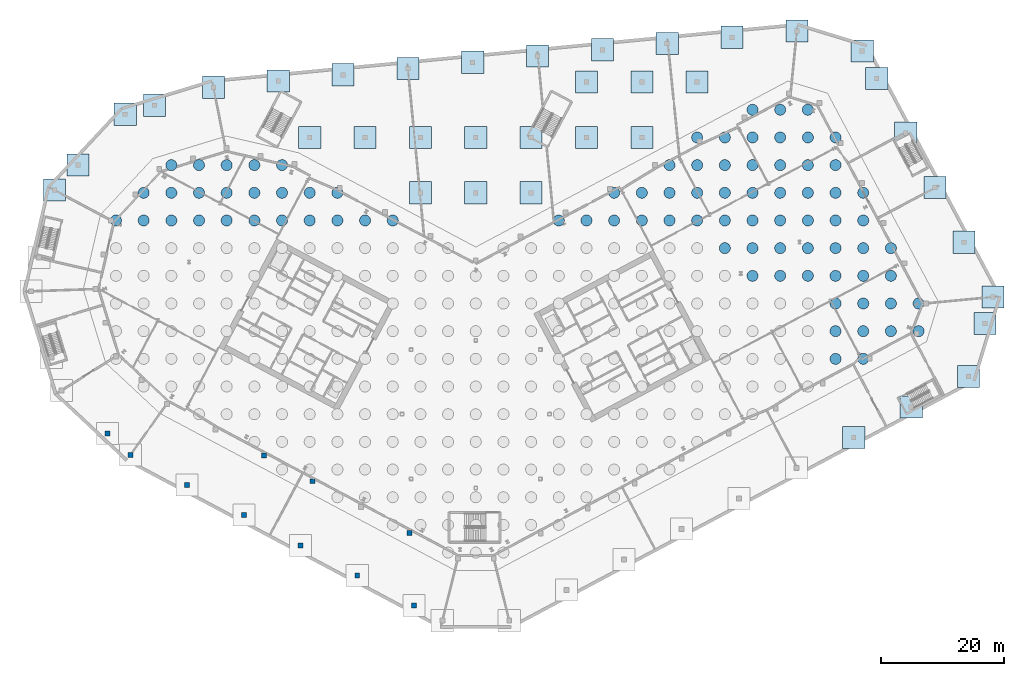
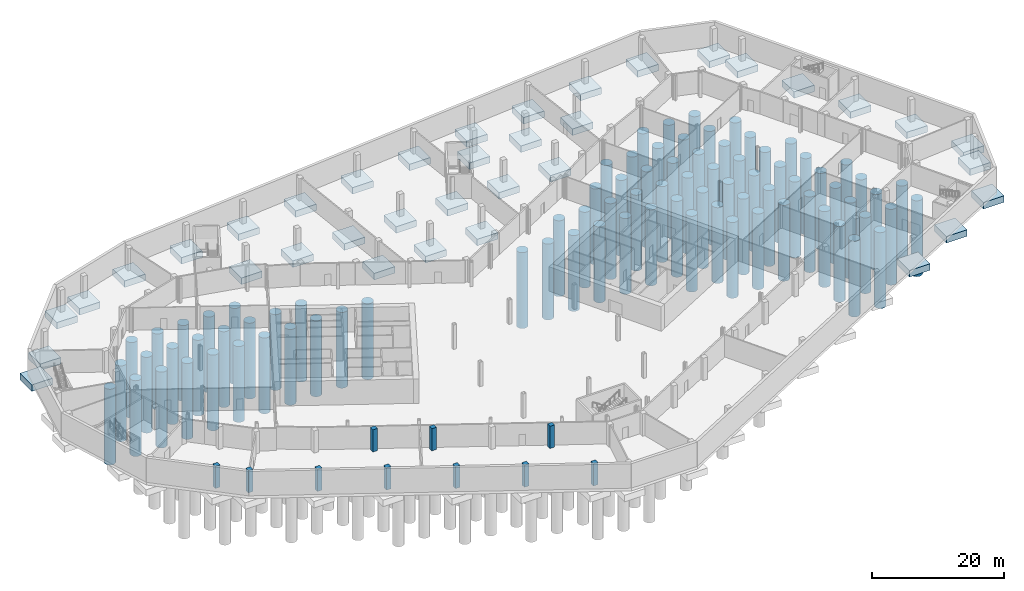
# One storey, part 2 of 29: 85 piles, 37 footings, 10 columns.
"""IFC4 building model written with IfcOpenShell, lengths in metres."""

from ifc_helpers import new_model, si_unit, direction, frame, origin, origin_2d, place, context, subcontext, project, spatial, polyline, rectangle, circle, outline, extrude, material, layer, layer_set, material_profile, profile_set, type_object, element, save


model = new_model("IFC4")

# Units and contexts
model_context = context("Model", 3, precision=1e-05, world=origin(), true_north=direction((0.0, 1.0)))
body_context = subcontext(model_context, "Body", "Model", "MODEL_VIEW")
ifc_project = project(units=[si_unit("LENGTHUNIT", "METRE"), si_unit("AREAUNIT", "SQUARE_METRE"), si_unit("VOLUMEUNIT", "CUBIC_METRE"), si_unit("PLANEANGLEUNIT", "RADIAN"), si_unit("MASSUNIT", "GRAM", prefix="KILO")], contexts=[model_context])

# Site, building, storey
site_placement = place(None, origin())
site = spatial("IfcSite", under=ifc_project, at=site_placement, CompositionType="ELEMENT")
building_placement = place(site_placement, origin())
building = spatial("IfcBuilding", under=site, at=building_placement, Name="Cormorant Relay Tower", CompositionType="ELEMENT")
storey_placement = place(building_placement, frame((0.0, 0.0, -9.0)))
storey = spatial("IfcBuildingStorey", under=building, at=storey_placement, Name="B2", CompositionType="ELEMENT", Elevation=-9.0)

# Footings
ifc_material_1 = material(Name="Concrete 40 MPa", Category="concrete")
ifc_layer = layer(ifc_material_1, 1.199951171875)
ifc_layer_set = layer_set([ifc_layer], Name="Base pad footing 3600")
footing_type = type_object("IfcFootingType", Name="Base pad footing 3600", PredefinedType="PAD_FOOTING", material=ifc_layer_set)
footing_1_placement = place(storey_placement, frame((0.0, 0.0, -1.699951171875)))
element("IfcFooting", 1, at=footing_1_placement, inside=storey, type_object=footing_type, Name="Base pad footing", PredefinedType="PAD_FOOTING", context=body_context, shape_type="SweptSolid", body=[
    extrude(outline(polyline([(59.6630859375, -5.587890625), (63.262939453125, -5.587890625), (63.262939453125, -1.988037109375), (59.6630859375, -1.988037109375), (59.6630859375, -5.587890625)])), origin(), (0.0, 0.0, 1.0), 1.199951171875),
])
footing_2_placement = place(storey_placement, frame((0.0, 0.0, -1.699951171875)))
element("IfcFooting", 2, at=footing_2_placement, inside=storey, type_object=footing_type, Name="Base pad footing", PredefinedType="PAD_FOOTING", context=body_context, shape_type="SweptSolid", body=[
    extrude(outline(polyline([(69.0, -0.6240234375), (72.60009765625, -0.6240234375), (72.60009765625, 2.97607421875), (69.0, 2.97607421875), (69.0, -0.6240234375)])), origin(), (0.0, 0.0, 1.0), 1.199951171875),
])
footing_3_placement = place(storey_placement, frame((0.0, 0.0, -1.699951171875)))
element("IfcFooting", 3, at=footing_3_placement, inside=storey, type_object=footing_type, Name="Base pad footing", PredefinedType="PAD_FOOTING", context=body_context, shape_type="SweptSolid", body=[
    extrude(outline(polyline([(78.3369140625, 4.341064453125), (81.93701171875, 4.341064453125), (81.93701171875, 7.94091796875), (78.3369140625, 7.94091796875), (78.3369140625, 4.341064453125)])), origin(), (0.0, 0.0, 1.0), 1.199951171875),
])
footing_4_placement = place(storey_placement, frame((0.0, 0.0, -1.699951171875)))
element("IfcFooting", 4, at=footing_4_placement, inside=storey, type_object=footing_type, Name="Base pad footing", PredefinedType="PAD_FOOTING", context=body_context, shape_type="SweptSolid", body=[
    extrude(outline(polyline([(80.971923828125, 12.9609375), (84.572021484375, 12.9609375), (84.572021484375, 16.56103515625), (80.971923828125, 16.56103515625), (80.971923828125, 12.9609375)])), origin(), (0.0, 0.0, 1.0), 1.199951171875),
])
footing_5_placement = place(storey_placement, frame((0.0, 0.0, -1.699951171875)))
element("IfcFooting", 5, at=footing_5_placement, inside=storey, type_object=footing_type, Name="Base pad footing", PredefinedType="PAD_FOOTING", context=body_context, shape_type="SweptSolid", body=[
    extrude(outline(polyline([(82.2900390625, 17.27099609375), (85.889892578125, 17.27099609375), (85.889892578125, 20.87109375), (82.2900390625, 20.87109375), (82.2900390625, 17.27099609375)])), origin(), (0.0, 0.0, 1.0), 1.199951171875),
])
footing_6_placement = place(storey_placement, frame((0.0, 0.0, -1.699951171875)))
element("IfcFooting", 6, at=footing_6_placement, inside=storey, type_object=footing_type, Name="Base pad footing", PredefinedType="PAD_FOOTING", context=body_context, shape_type="SweptSolid", body=[
    extrude(outline(polyline([(77.56591796875, 26.155029296875), (81.166015625, 26.155029296875), (81.166015625, 29.7548828125), (77.56591796875, 29.7548828125), (77.56591796875, 26.155029296875)])), origin(), (0.0, 0.0, 1.0), 1.199951171875),
])
footing_7_placement = place(storey_placement, frame((0.0, 0.0, -1.699951171875)))
element("IfcFooting", 7, at=footing_7_placement, inside=storey, type_object=footing_type, Name="Base pad footing", PredefinedType="PAD_FOOTING", context=body_context, shape_type="SweptSolid", body=[
    extrude(outline(polyline([(-10.800048828125, 34.199951171875), (-7.199951171875, 34.199951171875), (-7.199951171875, 37.800048828125), (-10.800048828125, 37.800048828125), (-10.800048828125, 34.199951171875)])), origin(), (0.0, 0.0, 1.0), 1.199951171875),
])
footing_8_placement = place(storey_placement, frame((0.0, 0.0, -1.699951171875)))
element("IfcFooting", 8, at=footing_8_placement, inside=storey, type_object=footing_type, Name="Base pad footing", PredefinedType="PAD_FOOTING", context=body_context, shape_type="SweptSolid", body=[
    extrude(outline(polyline([(-1.800048828125, 34.199951171875), (1.800048828125, 34.199951171875), (1.800048828125, 37.800048828125), (-1.800048828125, 37.800048828125), (-1.800048828125, 34.199951171875)])), origin(), (0.0, 0.0, 1.0), 1.199951171875),
])
footing_9_placement = place(storey_placement, frame((0.0, 0.0, -1.699951171875)))
element("IfcFooting", 9, at=footing_9_placement, inside=storey, type_object=footing_type, Name="Base pad footing", PredefinedType="PAD_FOOTING", context=body_context, shape_type="SweptSolid", body=[
    extrude(outline(polyline([(7.199951171875, 34.199951171875), (10.800048828125, 34.199951171875), (10.800048828125, 37.800048828125), (7.199951171875, 37.800048828125), (7.199951171875, 34.199951171875)])), origin(), (0.0, 0.0, 1.0), 1.199951171875),
])
footing_10_placement = place(storey_placement, frame((0.0, 0.0, -1.699951171875)))
element("IfcFooting", 10, at=footing_10_placement, inside=storey, type_object=footing_type, Name="Base pad footing", PredefinedType="PAD_FOOTING", context=body_context, shape_type="SweptSolid", body=[
    extrude(outline(polyline([(-70.31201171875, 34.62890625), (-66.7119140625, 34.62890625), (-66.7119140625, 38.22900390625), (-70.31201171875, 38.22900390625), (-70.31201171875, 34.62890625)])), origin(), (0.0, 0.0, 1.0), 1.199951171875),
])
footing_11_placement = place(storey_placement, frame((0.0, 0.0, -1.699951171875)))
element("IfcFooting", 11, at=footing_11_placement, inside=storey, type_object=footing_type, Name="Base pad footing", PredefinedType="PAD_FOOTING", context=body_context, shape_type="SweptSolid", body=[
    extrude(outline(polyline([(72.842041015625, 35.0390625), (76.44189453125, 35.0390625), (76.44189453125, 38.638916015625), (72.842041015625, 38.638916015625), (72.842041015625, 35.0390625)])), origin(), (0.0, 0.0, 1.0), 1.199951171875),
])
footing_12_placement = place(storey_placement, frame((0.0, 0.0, -1.699951171875)))
element("IfcFooting", 12, at=footing_12_placement, inside=storey, type_object=footing_type, Name="Base pad footing", PredefinedType="PAD_FOOTING", context=body_context, shape_type="SweptSolid", body=[
    extrude(outline(polyline([(-66.47705078125, 38.741943359375), (-62.876953125, 38.741943359375), (-62.876953125, 42.342041015625), (-66.47705078125, 42.342041015625), (-66.47705078125, 38.741943359375)])), origin(), (0.0, 0.0, 1.0), 1.199951171875),
])
footing_13_placement = place(storey_placement, frame((0.0, 0.0, -1.699951171875)))
element("IfcFooting", 13, at=footing_13_placement, inside=storey, type_object=footing_type, Name="Base pad footing", PredefinedType="PAD_FOOTING", context=body_context, shape_type="SweptSolid", body=[
    extrude(outline(polyline([(-28.800048828125, 43.199951171875), (-25.199951171875, 43.199951171875), (-25.199951171875, 46.800048828125), (-28.800048828125, 46.800048828125), (-28.800048828125, 43.199951171875)])), origin(), (0.0, 0.0, 1.0), 1.199951171875),
])
footing_14_placement = place(storey_placement, frame((0.0, 0.0, -1.699951171875)))
element("IfcFooting", 14, at=footing_14_placement, inside=storey, type_object=footing_type, Name="Base pad footing", PredefinedType="PAD_FOOTING", context=body_context, shape_type="SweptSolid", body=[
    extrude(outline(polyline([(-19.800048828125, 43.199951171875), (-16.199951171875, 43.199951171875), (-16.199951171875, 46.800048828125), (-19.800048828125, 46.800048828125), (-19.800048828125, 43.199951171875)])), origin(), (0.0, 0.0, 1.0), 1.199951171875),
])
footing_15_placement = place(storey_placement, frame((0.0, 0.0, -1.699951171875)))
element("IfcFooting", 15, at=footing_15_placement, inside=storey, type_object=footing_type, Name="Base pad footing", PredefinedType="PAD_FOOTING", context=body_context, shape_type="SweptSolid", body=[
    extrude(outline(polyline([(-10.800048828125, 43.199951171875), (-7.199951171875, 43.199951171875), (-7.199951171875, 46.800048828125), (-10.800048828125, 46.800048828125), (-10.800048828125, 43.199951171875)])), origin(), (0.0, 0.0, 1.0), 1.199951171875),
])
footing_16_placement = place(storey_placement, frame((0.0, 0.0, -1.699951171875)))
element("IfcFooting", 16, at=footing_16_placement, inside=storey, type_object=footing_type, Name="Base pad footing", PredefinedType="PAD_FOOTING", context=body_context, shape_type="SweptSolid", body=[
    extrude(outline(polyline([(-1.800048828125, 43.199951171875), (1.800048828125, 43.199951171875), (1.800048828125, 46.800048828125), (-1.800048828125, 46.800048828125), (-1.800048828125, 43.199951171875)])), origin(), (0.0, 0.0, 1.0), 1.199951171875),
])
footing_17_placement = place(storey_placement, frame((0.0, 0.0, -1.699951171875)))
element("IfcFooting", 17, at=footing_17_placement, inside=storey, type_object=footing_type, Name="Base pad footing", PredefinedType="PAD_FOOTING", context=body_context, shape_type="SweptSolid", body=[
    extrude(outline(polyline([(7.199951171875, 43.199951171875), (10.800048828125, 43.199951171875), (10.800048828125, 46.800048828125), (7.199951171875, 46.800048828125), (7.199951171875, 43.199951171875)])), origin(), (0.0, 0.0, 1.0), 1.199951171875),
])
footing_18_placement = place(storey_placement, frame((0.0, 0.0, -1.699951171875)))
element("IfcFooting", 18, at=footing_18_placement, inside=storey, type_object=footing_type, Name="Base pad footing", PredefinedType="PAD_FOOTING", context=body_context, shape_type="SweptSolid", body=[
    extrude(outline(polyline([(16.199951171875, 43.199951171875), (19.800048828125, 43.199951171875), (19.800048828125, 46.800048828125), (16.199951171875, 46.800048828125), (16.199951171875, 43.199951171875)])), origin(), (0.0, 0.0, 1.0), 1.199951171875),
])
footing_19_placement = place(storey_placement, frame((0.0, 0.0, -1.699951171875)))
element("IfcFooting", 19, at=footing_19_placement, inside=storey, type_object=footing_type, Name="Base pad footing", PredefinedType="PAD_FOOTING", context=body_context, shape_type="SweptSolid", body=[
    extrude(outline(polyline([(25.199951171875, 43.199951171875), (28.800048828125, 43.199951171875), (28.800048828125, 46.800048828125), (25.199951171875, 46.800048828125), (25.199951171875, 43.199951171875)])), origin(), (0.0, 0.0, 1.0), 1.199951171875),
])
footing_20_placement = place(storey_placement, frame((0.0, 0.0, -1.699951171875)))
element("IfcFooting", 20, at=footing_20_placement, inside=storey, type_object=footing_type, Name="Base pad footing", PredefinedType="PAD_FOOTING", context=body_context, shape_type="SweptSolid", body=[
    extrude(outline(polyline([(68.117919921875, 43.923095703125), (71.718017578125, 43.923095703125), (71.718017578125, 47.52294921875), (68.117919921875, 47.52294921875), (68.117919921875, 43.923095703125)])), origin(), (0.0, 0.0, 1.0), 1.199951171875),
])
footing_21_placement = place(storey_placement, frame((0.0, 0.0, -1.699951171875)))
element("IfcFooting", 21, at=footing_21_placement, inside=storey, type_object=footing_type, Name="Base pad footing", PredefinedType="PAD_FOOTING", context=body_context, shape_type="SweptSolid", body=[
    extrude(outline(polyline([(-58.804931640625, 46.968017578125), (-55.205078125, 46.968017578125), (-55.205078125, 50.568115234375), (-58.804931640625, 50.568115234375), (-58.804931640625, 46.968017578125)])), origin(), (0.0, 0.0, 1.0), 1.199951171875),
])
footing_22_placement = place(storey_placement, frame((0.0, 0.0, -1.699951171875)))
element("IfcFooting", 22, at=footing_22_placement, inside=storey, type_object=footing_type, Name="Base pad footing", PredefinedType="PAD_FOOTING", context=body_context, shape_type="SweptSolid", body=[
    extrude(outline(polyline([(-54.02392578125, 48.429931640625), (-50.424072265625, 48.429931640625), (-50.424072265625, 52.030029296875), (-54.02392578125, 52.030029296875), (-54.02392578125, 48.429931640625)])), origin(), (0.0, 0.0, 1.0), 1.199951171875),
])
footing_23_placement = place(storey_placement, frame((0.0, 0.0, -1.699951171875)))
element("IfcFooting", 23, at=footing_23_placement, inside=storey, type_object=footing_type, Name="Base pad footing", PredefinedType="PAD_FOOTING", context=body_context, shape_type="SweptSolid", body=[
    extrude(outline(polyline([(-44.4619140625, 51.35400390625), (-40.862060546875, 51.35400390625), (-40.862060546875, 54.9541015625), (-44.4619140625, 54.9541015625), (-44.4619140625, 51.35400390625)])), origin(), (0.0, 0.0, 1.0), 1.199951171875),
])
footing_24_placement = place(storey_placement, frame((0.0, 0.0, -1.699951171875)))
element("IfcFooting", 24, at=footing_24_placement, inside=storey, type_object=footing_type, Name="Base pad footing", PredefinedType="PAD_FOOTING", context=body_context, shape_type="SweptSolid", body=[
    extrude(outline(polyline([(16.199951171875, 52.199951171875), (19.800048828125, 52.199951171875), (19.800048828125, 55.800048828125), (16.199951171875, 55.800048828125), (16.199951171875, 52.199951171875)])), origin(), (0.0, 0.0, 1.0), 1.199951171875),
])
footing_25_placement = place(storey_placement, frame((0.0, 0.0, -1.699951171875)))
element("IfcFooting", 25, at=footing_25_placement, inside=storey, type_object=footing_type, Name="Base pad footing", PredefinedType="PAD_FOOTING", context=body_context, shape_type="SweptSolid", body=[
    extrude(outline(polyline([(25.199951171875, 52.199951171875), (28.800048828125, 52.199951171875), (28.800048828125, 55.800048828125), (25.199951171875, 55.800048828125), (25.199951171875, 52.199951171875)])), origin(), (0.0, 0.0, 1.0), 1.199951171875),
])
footing_26_placement = place(storey_placement, frame((0.0, 0.0, -1.699951171875)))
element("IfcFooting", 26, at=footing_26_placement, inside=storey, type_object=footing_type, Name="Base pad footing", PredefinedType="PAD_FOOTING", context=body_context, shape_type="SweptSolid", body=[
    extrude(outline(polyline([(34.199951171875, 52.199951171875), (37.800048828125, 52.199951171875), (37.800048828125, 55.800048828125), (34.199951171875, 55.800048828125), (34.199951171875, 52.199951171875)])), origin(), (0.0, 0.0, 1.0), 1.199951171875),
])
footing_27_placement = place(storey_placement, frame((0.0, 0.0, -1.699951171875)))
element("IfcFooting", 27, at=footing_27_placement, inside=storey, type_object=footing_type, Name="Base pad footing", PredefinedType="PAD_FOOTING", context=body_context, shape_type="SweptSolid", body=[
    extrude(outline(polyline([(-33.9208984375, 52.3701171875), (-30.321044921875, 52.3701171875), (-30.321044921875, 55.969970703125), (-33.9208984375, 55.969970703125), (-33.9208984375, 52.3701171875)])), origin(), (0.0, 0.0, 1.0), 1.199951171875),
])
footing_28_placement = place(storey_placement, frame((0.0, 0.0, -1.699951171875)))
element("IfcFooting", 28, at=footing_28_placement, inside=storey, type_object=footing_type, Name="Base pad footing", PredefinedType="PAD_FOOTING", context=body_context, shape_type="SweptSolid", body=[
    extrude(outline(polyline([(63.39501953125, 52.806884765625), (66.9951171875, 52.806884765625), (66.9951171875, 56.406982421875), (63.39501953125, 56.406982421875), (63.39501953125, 52.806884765625)])), origin(), (0.0, 0.0, 1.0), 1.199951171875),
])
footing_29_placement = place(storey_placement, frame((0.0, 0.0, -1.699951171875)))
element("IfcFooting", 29, at=footing_29_placement, inside=storey, type_object=footing_type, Name="Base pad footing", PredefinedType="PAD_FOOTING", context=body_context, shape_type="SweptSolid", body=[
    extrude(outline(polyline([(-23.3798828125, 53.385986328125), (-19.780029296875, 53.385986328125), (-19.780029296875, 56.986083984375), (-23.3798828125, 56.986083984375), (-23.3798828125, 53.385986328125)])), origin(), (0.0, 0.0, 1.0), 1.199951171875),
])
footing_30_placement = place(storey_placement, frame((0.0, 0.0, -1.699951171875)))
element("IfcFooting", 30, at=footing_30_placement, inside=storey, type_object=footing_type, Name="Base pad footing", PredefinedType="PAD_FOOTING", context=body_context, shape_type="SweptSolid", body=[
    extrude(outline(polyline([(-12.839111328125, 54.402099609375), (-9.239013671875, 54.402099609375), (-9.239013671875, 58.001953125), (-12.839111328125, 58.001953125), (-12.839111328125, 54.402099609375)])), origin(), (0.0, 0.0, 1.0), 1.199951171875),
])
footing_31_placement = place(storey_placement, frame((0.0, 0.0, -1.699951171875)))
element("IfcFooting", 31, at=footing_31_placement, inside=storey, type_object=footing_type, Name="Base pad footing", PredefinedType="PAD_FOOTING", context=body_context, shape_type="SweptSolid", body=[
    extrude(outline(polyline([(-2.298095703125, 55.41796875), (1.302001953125, 55.41796875), (1.302001953125, 59.01806640625), (-2.298095703125, 59.01806640625), (-2.298095703125, 55.41796875)])), origin(), (0.0, 0.0, 1.0), 1.199951171875),
])
footing_32_placement = place(storey_placement, frame((0.0, 0.0, -1.699951171875)))
element("IfcFooting", 32, at=footing_32_placement, inside=storey, type_object=footing_type, Name="Base pad footing", PredefinedType="PAD_FOOTING", context=body_context, shape_type="SweptSolid", body=[
    extrude(outline(polyline([(8.243896484375, 56.43408203125), (11.843994140625, 56.43408203125), (11.843994140625, 60.033935546875), (8.243896484375, 60.033935546875), (8.243896484375, 56.43408203125)])), origin(), (0.0, 0.0, 1.0), 1.199951171875),
])
footing_33_placement = place(storey_placement, frame((0.0, 0.0, -1.699951171875)))
element("IfcFooting", 33, at=footing_33_placement, inside=storey, type_object=footing_type, Name="Base pad footing", PredefinedType="PAD_FOOTING", context=body_context, shape_type="SweptSolid", body=[
    extrude(outline(polyline([(61.032958984375, 57.2490234375), (64.633056640625, 57.2490234375), (64.633056640625, 60.84912109375), (61.032958984375, 60.84912109375), (61.032958984375, 57.2490234375)])), origin(), (0.0, 0.0, 1.0), 1.199951171875),
])
footing_34_placement = place(storey_placement, frame((0.0, 0.0, -1.699951171875)))
element("IfcFooting", 34, at=footing_34_placement, inside=storey, type_object=footing_type, Name="Base pad footing", PredefinedType="PAD_FOOTING", context=body_context, shape_type="SweptSolid", body=[
    extrude(outline(polyline([(18.784912109375, 57.449951171875), (22.385009765625, 57.449951171875), (22.385009765625, 61.050048828125), (18.784912109375, 61.050048828125), (18.784912109375, 57.449951171875)])), origin(), (0.0, 0.0, 1.0), 1.199951171875),
])
footing_35_placement = place(storey_placement, frame((0.0, 0.0, -1.699951171875)))
element("IfcFooting", 35, at=footing_35_placement, inside=storey, type_object=footing_type, Name="Base pad footing", PredefinedType="PAD_FOOTING", context=body_context, shape_type="SweptSolid", body=[
    extrude(outline(polyline([(29.325927734375, 58.466064453125), (32.926025390625, 58.466064453125), (32.926025390625, 62.06591796875), (29.325927734375, 62.06591796875), (29.325927734375, 58.466064453125)])), origin(), (0.0, 0.0, 1.0), 1.199951171875),
])
footing_36_placement = place(storey_placement, frame((0.0, 0.0, -1.699951171875)))
element("IfcFooting", 36, at=footing_36_placement, inside=storey, type_object=footing_type, Name="Base pad footing", PredefinedType="PAD_FOOTING", context=body_context, shape_type="SweptSolid", body=[
    extrude(outline(polyline([(39.866943359375, 59.48193359375), (43.467041015625, 59.48193359375), (43.467041015625, 63.08203125), (39.866943359375, 63.08203125), (39.866943359375, 59.48193359375)])), origin(), (0.0, 0.0, 1.0), 1.199951171875),
])
footing_37_placement = place(storey_placement, frame((0.0, 0.0, -1.699951171875)))
element("IfcFooting", 37, at=footing_37_placement, inside=storey, type_object=footing_type, Name="Base pad footing", PredefinedType="PAD_FOOTING", context=body_context, shape_type="SweptSolid", body=[
    extrude(outline(polyline([(50.407958984375, 60.498046875), (54.008056640625, 60.498046875), (54.008056640625, 64.097900390625), (50.407958984375, 64.097900390625), (50.407958984375, 60.498046875)])), origin(), (0.0, 0.0, 1.0), 1.199951171875),
])

# Piles
ifc_material_2 = material(Name="Concrete 40 MPa", Category="concrete")
ifc_material_profile_1 = material_profile(ifc_material_2, circle(Radius=0.89990234375, at=origin_2d()), Name="BP1800")
ifc_profile_set_1 = profile_set([ifc_material_profile_1], Name="Concrete 40 MPa")
pile_type = type_object("IfcPileType", Name="Bored pile D1800", PredefinedType="BORED", material=ifc_profile_set_1)
for number, where, z_axis, x_axis, name in (
    (38, (58.5, 9.0, -2.89990234375), (0.0, 0.0, -1.0), (1.0, 0.0, 0.0), "Pile 126"),
    (39, (63.0, 9.0, -2.89990234375), (0.0, 0.0, -1.0), (1.0, 0.0, 0.0), "Pile 127"),
    (40, (58.5, 13.5, -2.89990234375), (0.0, 0.0, -1.0), (1.0, 0.0, 0.0), "Pile 154"),
    (41, (63.0, 13.5, -2.89990234375), (0.0, 0.0, -1.0), (1.0, 0.0, 0.0), "Pile 155"),
    (42, (67.5, 13.5, -2.89990234375), (0.0, 0.0, -1.0), (1.0, 0.0, 0.0), "Pile 156"),
    (43, (72.0, 13.5, -2.89990234375), (0.0, 0.0, -1.0), (1.0, 0.0, 0.0), "Pile 157"),
    (44, (58.5, 18.0, -2.89990234375), (0.0, 0.0, -1.0), (1.0, 0.0, 0.0), "Pile 184"),
    (45, (63.0, 18.0, -2.89990234375), (0.0, 0.0, -1.0), (1.0, 0.0, 0.0), "Pile 185"),
    (46, (67.5, 18.0, -2.89990234375), (0.0, 0.0, -1.0), (1.0, 0.0, 0.0), "Pile 186"),
    (47, (72.0, 18.0, -2.89990234375), (0.0, 0.0, -1.0), (1.0, 0.0, 0.0), "Pile 187"),
    (48, (45.0, 22.5, -2.89990234375), (0.0, 0.0, -1.0), (1.0, 0.0, 0.0), "Pile 211"),
    (49, (49.5, 22.5, -2.89990234375), (0.0, 0.0, -1.0), (1.0, 0.0, 0.0), "Pile 212"),
    (50, (54.0, 22.5, -2.89990234375), (0.0, 0.0, -1.0), (1.0, 0.0, 0.0), "Pile 213"),
    (51, (58.5, 22.5, -2.89990234375), (0.0, 0.0, -1.0), (1.0, 0.0, 0.0), "Pile 214"),
    (52, (63.0, 22.5, -2.89990234375), (0.0, 0.0, -1.0), (1.0, 0.0, 0.0), "Pile 215"),
    (53, (67.5, 22.5, -2.89990234375), (0.0, 0.0, -1.0), (1.0, 0.0, 0.0), "Pile 216"),
    (54, (40.5, 27.0, -2.89990234375), (0.0, 0.0, -1.0), (1.0, 0.0, 0.0), "Pile 238"),
    (55, (45.0, 27.0, -2.89990234375), (0.0, 0.0, -1.0), (1.0, 0.0, 0.0), "Pile 239"),
    (56, (49.5, 27.0, -2.89990234375), (0.0, 0.0, -1.0), (1.0, 0.0, 0.0), "Pile 240"),
    (57, (54.0, 27.0, -2.89990234375), (0.0, 0.0, -1.0), (1.0, 0.0, 0.0), "Pile 241"),
    (58, (58.5, 27.0, -2.89990234375), (0.0, 0.0, -1.0), (1.0, 0.0, 0.0), "Pile 242"),
    (59, (63.0, 27.0, -2.89990234375), (0.0, 0.0, -1.0), (1.0, 0.0, 0.0), "Pile 243"),
    (60, (67.5, 27.0, -2.89990234375), (0.0, 0.0, -1.0), (1.0, 0.0, 0.0), "Pile 244"),
    (61, (-58.5, 31.5, -2.89990234375), (0.0, 0.0, -1.0), (1.0, 0.0, 0.0), "Pile 245"),
    (62, (-54.0, 31.5, -2.89990234375), (0.0, 0.0, -1.0), (1.0, 0.0, 0.0), "Pile 246"),
    (63, (-49.5, 31.5, -2.89990234375), (0.0, 0.0, -1.0), (1.0, 0.0, 0.0), "Pile 247"),
    (64, (-45.0, 31.5, -2.89990234375), (0.0, 0.0, -1.0), (1.0, 0.0, 0.0), "Pile 248"),
    (65, (-40.5, 31.5, -2.89990234375), (0.0, 0.0, -1.0), (1.0, 0.0, 0.0), "Pile 249"),
    (66, (-36.0, 31.5, -2.89990234375), (0.0, 0.0, -1.0), (1.0, 0.0, 0.0), "Pile 250"),
    (67, (-31.5, 31.5, -2.89990234375), (0.0, 0.0, -1.0), (1.0, 0.0, 0.0), "Pile 251"),
    (68, (-27.0, 31.5, -2.89990234375), (0.0, 0.0, -1.0), (1.0, 0.0, 0.0), "Pile 252"),
    (69, (-22.5, 31.5, -2.89990234375), (0.0, 0.0, -1.0), (1.0, 0.0, 0.0), "Pile 253"),
    (70, (-18.0, 31.5, -2.89990234375), (0.0, 0.0, -1.0), (1.0, 0.0, 0.0), "Pile 254"),
    (71, (-13.5, 31.5, -2.89990234375), (0.0, 0.0, -1.0), (1.0, 0.0, 0.0), "Pile 255"),
    (72, (13.5, 31.5, -2.89990234375), (0.0, 0.0, -1.0), (1.0, 0.0, 0.0), "Pile 256"),
    (73, (18.0, 31.5, -2.89990234375), (0.0, 0.0, -1.0), (1.0, 0.0, 0.0), "Pile 257"),
    (74, (22.5, 31.5, -2.89990234375), (0.0, 0.0, -1.0), (1.0, 0.0, 0.0), "Pile 258"),
    (75, (27.0, 31.5, -2.89990234375), (0.0, 0.0, -1.0), (1.0, 0.0, 0.0), "Pile 259"),
    (76, (31.5, 31.5, -2.89990234375), (0.0, 0.0, -1.0), (1.0, 0.0, 0.0), "Pile 260"),
    (77, (36.0, 31.5, -2.89990234375), (0.0, 0.0, -1.0), (1.0, 0.0, 0.0), "Pile 261"),
    (78, (40.5, 31.5, -2.89990234375), (0.0, 0.0, -1.0), (1.0, 0.0, 0.0), "Pile 262"),
    (79, (45.0, 31.5, -2.89990234375), (0.0, 0.0, -1.0), (1.0, 0.0, 0.0), "Pile 263"),
    (80, (49.5, 31.5, -2.89990234375), (0.0, 0.0, -1.0), (1.0, 0.0, 0.0), "Pile 264"),
    (81, (54.0, 31.5, -2.89990234375), (0.0, 0.0, -1.0), (1.0, 0.0, 0.0), "Pile 265"),
    (82, (58.5, 31.5, -2.89990234375), (0.0, 0.0, -1.0), (1.0, 0.0, 0.0), "Pile 266"),
    (83, (63.0, 31.5, -2.89990234375), (0.0, 0.0, -1.0), (1.0, 0.0, 0.0), "Pile 267"),
    (84, (-54.0, 36.0, -2.89990234375), (0.0, 0.0, -1.0), (1.0, 0.0, 0.0), "Pile 268"),
    (85, (-49.5, 36.0, -2.89990234375), (0.0, 0.0, -1.0), (1.0, 0.0, 0.0), "Pile 269"),
    (86, (-45.0, 36.0, -2.89990234375), (0.0, 0.0, -1.0), (1.0, 0.0, 0.0), "Pile 270"),
    (87, (-40.5, 36.0, -2.89990234375), (0.0, 0.0, -1.0), (1.0, 0.0, 0.0), "Pile 271"),
    (88, (-36.0, 36.0, -2.89990234375), (0.0, 0.0, -1.0), (1.0, 0.0, 0.0), "Pile 272"),
    (89, (-31.5, 36.0, -2.89990234375), (0.0, 0.0, -1.0), (1.0, 0.0, 0.0), "Pile 273"),
    (90, (-27.0, 36.0, -2.89990234375), (0.0, 0.0, -1.0), (1.0, 0.0, 0.0), "Pile 274"),
    (91, (-22.5, 36.0, -2.89990234375), (0.0, 0.0, -1.0), (1.0, 0.0, 0.0), "Pile 275"),
    (92, (22.5, 36.0, -2.89990234375), (0.0, 0.0, -1.0), (1.0, 0.0, 0.0), "Pile 276"),
    (93, (27.0, 36.0, -2.89990234375), (0.0, 0.0, -1.0), (1.0, 0.0, 0.0), "Pile 277"),
    (94, (31.5, 36.0, -2.89990234375), (0.0, 0.0, -1.0), (1.0, 0.0, 0.0), "Pile 278"),
    (95, (36.0, 36.0, -2.89990234375), (0.0, 0.0, -1.0), (1.0, 0.0, 0.0), "Pile 279"),
    (96, (40.5, 36.0, -2.89990234375), (0.0, 0.0, -1.0), (1.0, 0.0, 0.0), "Pile 280"),
    (97, (45.0, 36.0, -2.89990234375), (0.0, 0.0, -1.0), (1.0, 0.0, 0.0), "Pile 281"),
    (98, (49.5, 36.0, -2.89990234375), (0.0, 0.0, -1.0), (1.0, 0.0, 0.0), "Pile 282"),
    (99, (54.0, 36.0, -2.89990234375), (0.0, 0.0, -1.0), (1.0, 0.0, 0.0), "Pile 283"),
    (100, (58.5, 36.0, -2.89990234375), (0.0, 0.0, -1.0), (1.0, 0.0, 0.0), "Pile 284"),
    (101, (63.0, 36.0, -2.89990234375), (0.0, 0.0, -1.0), (1.0, 0.0, 0.0), "Pile 285"),
    (102, (-49.5, 40.5, -2.89990234375), (0.0, 0.0, -1.0), (1.0, 0.0, 0.0), "Pile 286"),
    (103, (-45.0, 40.5, -2.89990234375), (0.0, 0.0, -1.0), (1.0, 0.0, 0.0), "Pile 287"),
    (104, (-40.5, 40.5, -2.89990234375), (0.0, 0.0, -1.0), (1.0, 0.0, 0.0), "Pile 288"),
    (105, (-36.0, 40.5, -2.89990234375), (0.0, 0.0, -1.0), (1.0, 0.0, 0.0), "Pile 289"),
    (106, (-31.5, 40.5, -2.89990234375), (0.0, 0.0, -1.0), (1.0, 0.0, 0.0), "Pile 290"),
    (107, (31.5, 40.5, -2.89990234375), (0.0, 0.0, -1.0), (1.0, 0.0, 0.0), "Pile 291"),
    (108, (36.0, 40.5, -2.89990234375), (0.0, 0.0, -1.0), (1.0, 0.0, 0.0), "Pile 292"),
    (109, (40.5, 40.5, -2.89990234375), (0.0, 0.0, -1.0), (1.0, 0.0, 0.0), "Pile 293"),
    (110, (45.0, 40.5, -2.89990234375), (0.0, 0.0, -1.0), (1.0, 0.0, 0.0), "Pile 294"),
    (111, (49.5, 40.5, -2.89990234375), (0.0, 0.0, -1.0), (1.0, 0.0, 0.0), "Pile 295"),
    (112, (54.0, 40.5, -2.89990234375), (0.0, 0.0, -1.0), (1.0, 0.0, 0.0), "Pile 296"),
    (113, (58.5, 40.5, -2.89990234375), (0.0, 0.0, -1.0), (1.0, 0.0, 0.0), "Pile 297"),
    (114, (36.0, 45.0, -2.89990234375), (0.0, 0.0, -1.0), (1.0, 0.0, 0.0), "Pile 298"),
    (115, (40.5, 45.0, -2.89990234375), (0.0, 0.0, -1.0), (1.0, 0.0, 0.0), "Pile 299"),
    (116, (45.0, 45.0, -2.89990234375), (0.0, 0.0, -1.0), (1.0, 0.0, 0.0), "Pile 300"),
    (117, (49.5, 45.0, -2.89990234375), (0.0, 0.0, -1.0), (1.0, 0.0, 0.0), "Pile 301"),
    (118, (54.0, 45.0, -2.89990234375), (0.0, 0.0, -1.0), (1.0, 0.0, 0.0), "Pile 302"),
    (119, (58.5, 45.0, -2.89990234375), (0.0, 0.0, -1.0), (1.0, 0.0, 0.0), "Pile 303"),
    (120, (45.0, 49.5, -2.89990234375), (0.0, 0.0, -1.0), (1.0, 0.0, 0.0), "Pile 304"),
    (121, (49.5, 49.5, -2.89990234375), (0.0, 0.0, -1.0), (1.0, 0.0, 0.0), "Pile 305"),
    (122, (54.0, 49.5, -2.89990234375), (0.0, 0.0, -1.0), (1.0, 0.0, 0.0), "Pile 306"),
):
    element("IfcPile", number, at=place(storey_placement, frame(where, z_axis=z_axis, x_axis=x_axis)), inside=storey, type_object=pile_type, Name=name, PredefinedType="BORED", context=body_context, shape_type="SweptSolid", body=[
        extrude(circle(Radius=0.89990234375, at=origin_2d()), origin(), (0.0, 0.0, 1.0), 14.0),
    ])

# Columns
ifc_material_3 = material(Name="Concrete 50 MPa", Category="concrete")
ifc_material_profile_2 = material_profile(ifc_material_3, rectangle(XDim=0.800048828125, YDim=0.800048828125, at=origin_2d()), Name="RC 800x800")
ifc_profile_set_2 = profile_set([ifc_material_profile_2], Name="Concrete 50 MPa")
column_type = type_object("IfcColumnType", Name="Base column 800 x 800", PredefinedType="COLUMN", material=ifc_profile_set_2)
for number, where, z_axis, x_axis, name in (
    (123, (-10.051025390625, -31.1240234375, 0.0), (0.0, 0.0, 1.0), (1.0, 0.0, 0.0), "Base column"),
    (124, (-19.27099609375, -26.221923828125, 0.0), (0.0, 0.0, 1.0), (1.0, 0.0, 0.0), "Base column"),
    (125, (-28.490966796875, -21.320068359375, 0.0), (0.0, 0.0, 1.0), (1.0, 0.0, 0.0), "Base column"),
    (126, (-10.80908203125, -19.282958984375, 0.0), (0.0, 0.0, 1.0), (1.0, 0.0, 0.0), "Base column"),
    (127, (-37.7109375, -16.4169921875, 0.0), (0.0, 0.0, 1.0), (1.0, 0.0, 0.0), "Base column"),
    (128, (-46.930908203125, -11.514892578125, 0.0), (0.0, 0.0, 1.0), (1.0, 0.0, 0.0), "Base column"),
    (129, (-26.5791015625, -10.89697265625, 0.0), (0.0, 0.0, 1.0), (1.0, 0.0, 0.0), "Base column"),
    (130, (-34.465087890625, -6.7041015625, 0.0), (0.0, 0.0, 1.0), (1.0, 0.0, 0.0), "Base column"),
    (131, (-56.152099609375, -6.612060546875, 0.0), (0.0, 0.0, 1.0), (1.0, 0.0, 0.0), "Base column"),
    (132, (-59.89306640625, -3.1240234375, 0.0), (0.0, 0.0, 1.0), (1.0, 0.0, 0.0), "Base column"),
):
    element("IfcColumn", number, at=place(storey_placement, frame(where, z_axis=z_axis, x_axis=x_axis)), inside=storey, type_object=column_type, Name=name, PredefinedType="COLUMN", context=body_context, shape_type="SweptSolid", body=[
        extrude(rectangle(XDim=0.800048828125, YDim=0.800048828125, at=origin_2d()), origin(), (0.0, 0.0, 1.0), 4.10009765625),
    ])

save(model, "model.ifc")
